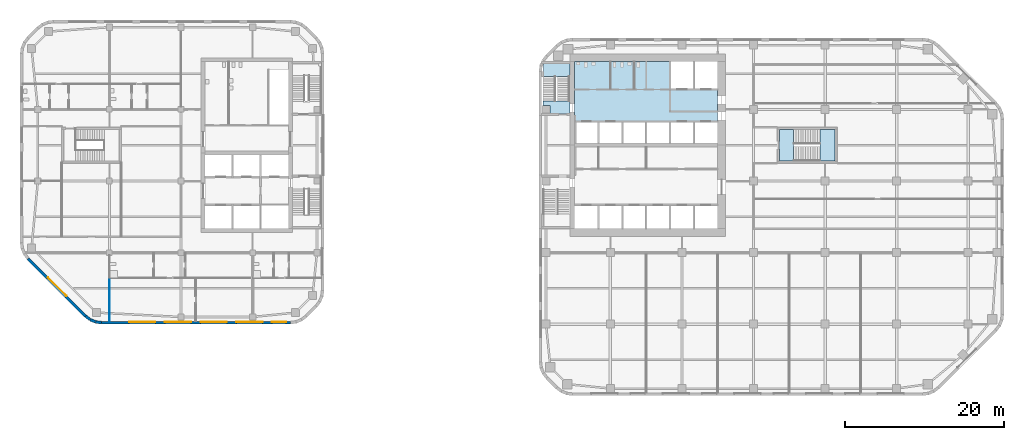
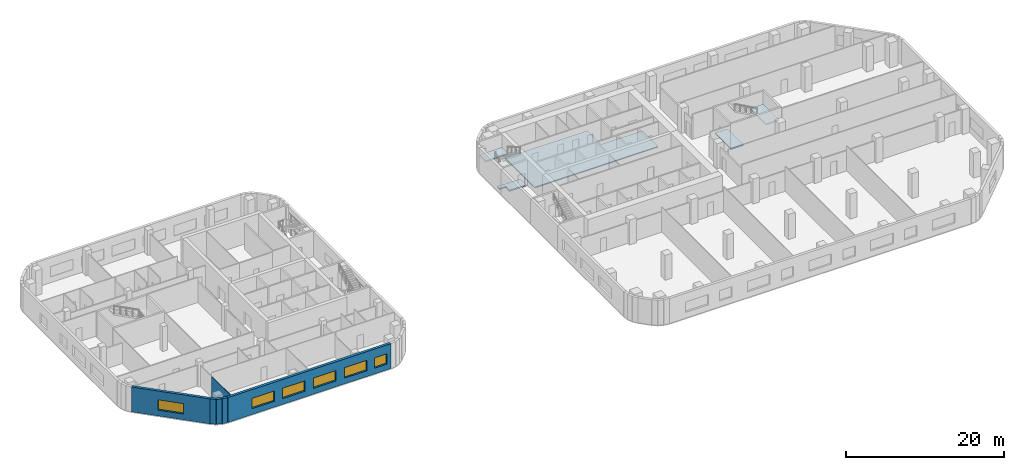
# One storey, part 4 of 15: 6 walls, 6 windows, 5 slabs, 6 openings, 2 elements without a shape of their own.
"""IFC4 building model written with IfcOpenShell, lengths in metres."""

import ifcopenshell
import ifcopenshell.guid

model = None  # the IFC model being written
_history = None  # IfcOwnerHistory: only IFC2X3 demands one
_inside = {}  # id of a spatial element -> (the spatial element, [elements in it])
_under = {}  # id of a project, library or spatial element -> (it, [spatial elements below it])
_declared = {}  # id of a project -> (the project, [libraries it declares])
_typed = {}  # id of a type object -> (the type object, [elements of that type])
_made_of = {}  # id of a material, layer set ... -> (it, [elements and type objects made of it])


def new_model(schema):
    """Start an empty IFC model of exactly this schema.

    Asked for "IFC4X3", IfcOpenShell would pick the latest addendum, in which some entities
    have other attributes; the version numbers below select the first issue.
    IFC2X3 requires an IfcOwnerHistory on every rooted entity: one is made here for all.
    """
    global model, _history
    if schema == "IFC4X3":
        model = ifcopenshell.file(schema_version=(4, 3, 0, 0))
    else:
        model = ifcopenshell.file(schema=schema)
    _inside.clear()
    _under.clear()
    _declared.clear()
    _typed.clear()
    _made_of.clear()
    _history = None
    if model.schema == "IFC2X3":
        org = make("IfcOrganization", Name="unknown")
        user = make(
            "IfcPersonAndOrganization",
            ThePerson=make("IfcPerson", FamilyName="unknown"),
            TheOrganization=org,
        )
        app = make(
            "IfcApplication",
            ApplicationDeveloper=org,
            Version="unknown",
            ApplicationFullName="unknown",
            ApplicationIdentifier="unknown",
        )
        _history = make(
            "IfcOwnerHistory",
            OwningUser=user,
            OwningApplication=app,
            ChangeAction="ADDED",
            CreationDate=0,
        )
    return model


def make(cls, **values):
    """One entity of the class cls with the attributes given. An attribute that is None is left unset."""
    return model.create_entity(
        cls, **{name: value for name, value in values.items() if value is not None}
    )


def rooted(cls, **values):
    """An entity with a GlobalId (a new one), such as an element, a storey or a relation."""
    return make(cls, GlobalId=ifcopenshell.guid.new(), OwnerHistory=_history, **values)


def si_unit(unit_type, name, prefix=None):
    """IfcSIUnit, for example si_unit("LENGTHUNIT", "METRE", prefix="MILLI")."""
    return make("IfcSIUnit", UnitType=unit_type, Prefix=prefix, Name=name)


def assignment(units):
    """IfcUnitAssignment: the units of a project."""
    return None if units is None else make("IfcUnitAssignment", Units=units)


def point(xyz):
    """IfcCartesianPoint."""
    return None if xyz is None else make("IfcCartesianPoint", Coordinates=xyz)


def direction(xyz):
    """IfcDirection."""
    return None if xyz is None else make("IfcDirection", DirectionRatios=xyz)


def frame(location, z_axis=None, x_axis=None):
    """IfcAxis2Placement3D, a coordinate frame: its origin and axes. An axis left out is left unset."""
    return make(
        "IfcAxis2Placement3D",
        Location=point(location),
        Axis=direction(z_axis),
        RefDirection=direction(x_axis),
    )


def frame_2d(location, x_axis=None):
    """IfcAxis2Placement2D, a coordinate frame in the plane: its origin and x axis."""
    return make(
        "IfcAxis2Placement2D", Location=point(location), RefDirection=direction(x_axis)
    )


def origin():
    """The frame at (0, 0, 0) with its axes left unset."""
    return frame((0.0, 0.0, 0.0))


def place(relative_to, where):
    """IfcLocalPlacement: puts the frame where relative to a parent placement (None: the world)."""
    return make(
        "IfcLocalPlacement", PlacementRelTo=relative_to, RelativePlacement=where
    )


def context(
    kind, dimensions, precision=None, world=None, true_north=None, identifier=None
):
    """IfcGeometricRepresentationContext, for example the 3D "Model" context."""
    return make(
        "IfcGeometricRepresentationContext",
        ContextIdentifier=identifier,
        ContextType=kind,
        CoordinateSpaceDimension=dimensions,
        Precision=precision,
        WorldCoordinateSystem=world,
        TrueNorth=true_north,
    )


def subcontext(parent, identifier, kind, view, scale=None):
    """IfcGeometricRepresentationSubContext, for example "Body" below "Model"."""
    return make(
        "IfcGeometricRepresentationSubContext",
        ContextIdentifier=identifier,
        ContextType=kind,
        ParentContext=parent,
        TargetScale=scale,
        TargetView=view,
    )


def project(units=None, contexts=None):
    """IfcProject with its units and contexts."""
    return rooted(
        "IfcProject",
        Name="project",
        RepresentationContexts=contexts,
        UnitsInContext=assignment(units),
    )


def spatial(cls, under=None, at=None, **own):
    """A site, building, storey or space (cls), placed at a placement, below another one or the project."""
    s = rooted(cls, ObjectPlacement=at, **own)
    if under is not None:
        _under.setdefault(under.id(), (under, []))[1].append(s)
    return s


def polyline(points):
    """IfcPolyline through the points."""
    return make("IfcPolyline", Points=[point(p) for p in points])


def profile(cls, at=None, kind="AREA", **sizes):
    """A parametric profile (cls). Its sizes go by their IFC names, for example OverallWidth=200.0."""
    return make(cls, ProfileType=kind, Position=at, **sizes)


def rectangle(**sizes):
    """IfcRectangleProfileDef."""
    return profile("IfcRectangleProfileDef", **sizes)


def outline(outer, holes=None, kind="AREA"):
    """IfcArbitraryClosedProfileDef: a profile drawn as a closed curve; with holes, ...WithVoids."""
    if holes is None:
        return make("IfcArbitraryClosedProfileDef", ProfileType=kind, OuterCurve=outer)
    return make(
        "IfcArbitraryProfileDefWithVoids",
        ProfileType=kind,
        OuterCurve=outer,
        InnerCurves=holes,
    )


def extrude(swept, where, along, depth):
    """IfcExtrudedAreaSolid: the profile swept, set in the frame where, extruded along a direction by depth."""
    return make(
        "IfcExtrudedAreaSolid",
        SweptArea=swept,
        Position=where,
        ExtrudedDirection=direction(along),
        Depth=depth,
    )


def shape(context_of_items, identifier, shape_type, items):
    """IfcShapeRepresentation: the items that make up one representation, for example the "Body"."""
    return make(
        "IfcShapeRepresentation",
        ContextOfItems=context_of_items,
        RepresentationIdentifier=identifier,
        RepresentationType=shape_type,
        Items=items,
    )


def material(Name=None, Category=None):
    """IfcMaterial."""
    return make("IfcMaterial", Name=Name, Category=Category)


def layer(
    of_material, thickness, ventilated=None, Name=None, Category=None, Priority=None
):
    """IfcMaterialLayer: one layer of a wall or slab, of a material (None: an air gap)."""
    return make(
        "IfcMaterialLayer",
        Material=of_material,
        LayerThickness=thickness,
        IsVentilated=ventilated,
        Name=Name,
        Category=Category,
        Priority=Priority,
    )


def layer_set(layers, Name=None):
    """IfcMaterialLayerSet."""
    return make("IfcMaterialLayerSet", MaterialLayers=layers, LayerSetName=Name)


def made_of(thing, what):
    """Note that an element or type object is made of a material, layer set ...; save() writes the relation."""
    if what is not None:
        _made_of.setdefault(what.id(), (what, []))[1].append(thing)
    return thing


def type_object(cls, material=None, **own):
    """A type object (cls), such as IfcWallType, which elements share."""
    return made_of(rooted(cls, **own), material)


def element(
    cls,
    number,
    at=None,
    inside=None,
    cuts=None,
    type_object=None,
    material=None,
    context=None,
    identifier="Body",
    shape_type=None,
    held_by="IfcProductDefinitionShape",
    body=None,
    shapes=None,
    **own,
):
    """One element of the class cls, such as IfcWall. Its Tag is "e" and its number.

    at: its placement. inside: the storey or other place that contains it. cuts: it is an
    opening in that element (IfcRelVoidsElement). A single representation is given by context,
    identifier, shape_type and body (its items); several are given by shapes. held_by: the class
    of the entity that holds the representations. save() writes the other relations.
    """
    e = rooted(cls, Tag="e%d" % number, ObjectPlacement=at, **own)
    if body is not None:
        shapes = [shape(context, identifier, shape_type, body)]
    if shapes is not None:
        e.Representation = make(held_by, Representations=shapes)
    if inside is not None:
        _inside.setdefault(inside.id(), (inside, []))[1].append(e)
    if cuts is not None:
        rooted(
            "IfcRelVoidsElement", RelatingBuildingElement=cuts, RelatedOpeningElement=e
        )
    if type_object is not None:
        _typed.setdefault(type_object.id(), (type_object, []))[1].append(e)
    return made_of(e, material)


def fill(opening, filler):
    """IfcRelFillsElement: the door or window that sits in an opening."""
    return rooted(
        "IfcRelFillsElement",
        RelatingOpeningElement=opening,
        RelatedBuildingElement=filler,
    )


def aggregate(whole, parts):
    """IfcRelAggregates: a whole, such as a stair, and the parts it consists of."""
    return rooted("IfcRelAggregates", RelatingObject=whole, RelatedObjects=parts)


def save(model, path):
    """Write the relations noted so far, then the file.

    IfcRelAggregates (storeys below a building ...), IfcRelContainedInSpatialStructure (elements
    in a storey), IfcRelDefinesByType, IfcRelAssociatesMaterial and IfcRelDeclares: one each for
    every whole, place, type object, material and project.
    """
    for whole, parts in _under.values():
        aggregate(whole, parts)
    for where, things in _inside.values():
        rooted(
            "IfcRelContainedInSpatialStructure",
            RelatedElements=things,
            RelatingStructure=where,
        )
    for kind, things in _typed.values():
        rooted("IfcRelDefinesByType", RelatedObjects=things, RelatingType=kind)
    for what, things in _made_of.values():
        rooted("IfcRelAssociatesMaterial", RelatedObjects=things, RelatingMaterial=what)
    for by, libraries in _declared.values():
        rooted("IfcRelDeclares", RelatingContext=by, RelatedDefinitions=libraries)
    model.write(path)


model = new_model("IFC4")

# Units and contexts
model_context = context("Model", 3, precision=1e-05, world=origin(), true_north=direction((0.0, 1.0)))
body_context = subcontext(model_context, "Body", "Model", "MODEL_VIEW")
ifc_project = project(units=[si_unit("LENGTHUNIT", "METRE"), si_unit("AREAUNIT", "SQUARE_METRE"), si_unit("VOLUMEUNIT", "CUBIC_METRE"), si_unit("PLANEANGLEUNIT", "RADIAN"), si_unit("MASSUNIT", "GRAM", prefix="KILO")], contexts=[model_context])

# Site, building, storey
site_placement = place(None, origin())
site = spatial("IfcSite", under=ifc_project, at=site_placement, CompositionType="ELEMENT")
building_placement = place(site_placement, origin())
building = spatial("IfcBuilding", under=site, at=building_placement, Name="Cinnabar Reach Civic Tower", CompositionType="ELEMENT")
storey_placement = place(building_placement, frame((0.0, 0.0, 63.0)))
storey = spatial("IfcBuildingStorey", under=building, at=storey_placement, Name="L14", CompositionType="ELEMENT", Elevation=63.0)

# Stair, slabs
ifc_material_1 = material(Name="Concrete C40/50", Category="concrete")
stair_type = type_object("IfcStairType", Name="T1 Exit stair, half-turn", PredefinedType="HALF_TURN_STAIR", material=ifc_material_1)
stair_1_placement = place(storey_placement, origin())
stair_1 = element("IfcStair", 1, at=stair_1_placement, inside=storey, type_object=stair_type, Name="Stair T1-S2", PredefinedType="HALF_TURN_STAIR")
ifc_layer_1 = layer(ifc_material_1, 0.2)
ifc_layer_set_1 = layer_set([ifc_layer_1], Name="T1 Stair landing 200, Concrete C40/50")
slab_type_1 = type_object("IfcSlabType", Name="T1 Stair landing 200, Concrete C40/50", PredefinedType="LANDING", material=ifc_layer_set_1)
slab_1_placement = place(storey_placement, frame((0.0, 0.0, -0.2)))
slab_1 = element("IfcSlab", 2, at=slab_1_placement, type_object=slab_type_1, Name="T1-S2 landing 1", PredefinedType="LANDING", context=body_context, shape_type="SweptSolid", body=[
    extrude(outline(polyline([(0.5, 37.05), (3.9, 37.05), (3.9, 35.5), (1.4, 35.5), (1.4, 36.5), (0.5, 36.5), (0.5, 37.05)])), origin(), (0.0, 0.0, 1.0), 0.2),
])
slab_2_placement = place(storey_placement, frame((0.0, 0.0, 1.8)))
slab_2 = element("IfcSlab", 3, at=slab_2_placement, type_object=slab_type_1, Name="T1-S2 landing 2", PredefinedType="LANDING", context=body_context, shape_type="SweptSolid", body=[
    extrude(outline(polyline([(0.6, 40.13), (0.6, 41.75), (3.9, 41.75), (3.9, 40.13), (0.6, 40.13)])), origin(), (0.0, 0.0, 1.0), 0.2),
])
aggregate(stair_1, [slab_1, slab_2])

stair_2_placement = place(storey_placement, origin())
stair_2 = element("IfcStair", 4, at=stair_2_placement, inside=storey, type_object=stair_type, Name="Stair T1-S3", PredefinedType="HALF_TURN_STAIR")
slab_3_placement = place(storey_placement, frame((0.0, 0.0, -0.2)))
slab_3 = element("IfcSlab", 5, at=slab_3_placement, type_object=slab_type_1, Name="T1-S3 landing 1", PredefinedType="LANDING", context=body_context, shape_type="SweptSolid", body=[
    extrude(outline(polyline([(30.25, 29.5), (32.05, 29.5), (32.05, 33.5), (30.25, 33.5), (30.25, 29.5)])), origin(), (0.0, 0.0, 1.0), 0.2),
])
slab_4_placement = place(storey_placement, frame((0.0, 0.0, 1.8)))
slab_4 = element("IfcSlab", 6, at=slab_4_placement, type_object=slab_type_1, Name="T1-S3 landing 2", PredefinedType="LANDING", context=body_context, shape_type="SweptSolid", body=[
    extrude(outline(polyline([(35.35, 29.5), (37.25, 29.5), (37.25, 33.5), (35.35, 33.5), (35.35, 29.5)])), origin(), (0.0, 0.0, 1.0), 0.2),
])
aggregate(stair_2, [slab_3, slab_4])

# Slab
ifc_layer_2 = layer(ifc_material_1, 0.15)
ifc_layer_set_2 = layer_set([ifc_layer_2], Name="T1 core floor slab 150")
slab_type_2 = type_object("IfcSlabType", Name="T1 core floor slab 150", PredefinedType="FLOOR", material=ifc_layer_set_2)
slab_5_placement = place(storey_placement, frame((0.0, 0.0, -0.15)))
element("IfcSlab", 7, at=slab_5_placement, inside=storey, type_object=slab_type_2, Name="Core floor slab L14", PredefinedType="FLOOR", context=body_context, shape_type="SweptSolid", body=[
    extrude(outline(polyline([(22.5, 34.5), (19.5, 34.5), (16.5, 34.5), (13.5, 34.5), (10.5, 34.5), (7.5, 34.5), (4.5, 34.5), (4.5, 42.0), (16.5, 42.0), (16.5, 38.5), (19.5, 38.5), (22.5, 38.5), (22.5, 34.5)])), origin(), (0.0, 0.0, 1.0), 0.15),
])

# Walls
ifc_material_2 = material(Name="Facing brick with insulated backing", Category="masonry")
ifc_layer_3 = layer(ifc_material_2, 0.36)
ifc_layer_set_3 = layer_set([ifc_layer_3], Name="Brick corner wall")
wall_type_1 = type_object("IfcWallType", Name="Brick corner wall", PredefinedType="STANDARD", material=ifc_layer_set_3)
wall_1_placement = place(storey_placement, frame((-56.9913, 10.0002, 0.0), z_axis=(0.0, 0.0, 1.0), x_axis=(0.793321924995, -0.608802368033, 0.0)))
element("IfcWall", 8, at=wall_1_placement, inside=storey, type_object=wall_type_1, Name="Brick corner wall", PredefinedType="STANDARD", context=body_context, shape_type="SweptSolid", body=[
    extrude(rectangle(XDim=0.7132, YDim=0.36, at=frame_2d((0.3566, 0.0))), origin(), (0.0, 0.0, 1.0), 3.85),
])
for number, where, z_axis, x_axis, name in (
    (9, (-56.4061, 9.5548, 0.0), (0.0, 0.0, 1.0), (0.923871547278, -0.382702709855, 0.0), "Brick corner wall"),
    (10, (-55.7256, 9.2761, 0.0), (0.0, 0.0, 1.0), (0.99144092581, -0.13055608231, 0.0), "Brick corner wall"),
):
    element("IfcWall", number, at=place(storey_placement, frame(where, z_axis=z_axis, x_axis=x_axis)), inside=storey, type_object=wall_type_1, Name=name, PredefinedType="STANDARD", context=body_context, shape_type="SweptSolid", body=[
        extrude(rectangle(XDim=0.7131, YDim=0.36, at=frame_2d((0.3565, 0.0))), origin(), (0.0, 0.0, 1.0), 3.85),
    ])

# Wall, openings, windows
ifc_layer_4 = layer(ifc_material_2, 0.36)
ifc_layer_set_4 = layer_set([ifc_layer_4], Name="Brick pier and spandrel wall")
wall_type_2 = type_object("IfcWallType", Name="Brick pier and spandrel wall", PredefinedType="STANDARD", material=ifc_layer_set_4)
wall_2_placement = place(storey_placement, frame((-55.0074, 9.18, 0.0), z_axis=(0.0, 0.0, 1.0), x_axis=(1.0, 0.0, 0.0)))
wall_2 = element("IfcWall", 11, at=wall_2_placement, inside=storey, type_object=wall_type_2, Name="Brick facade wall", PredefinedType="STANDARD", context=body_context, shape_type="SweptSolid", body=[
    extrude(rectangle(XDim=23.7648, YDim=0.36, at=frame_2d((11.8824, 0.0))), origin(), (0.0, 0.0, 1.0), 3.85),
])
opening_1_placement = place(wall_2_placement, frame((3.4824, 0.0, 0.9)))
opening_1 = element("IfcOpeningElement", 12, at=opening_1_placement, cuts=wall_2, Name="Opening W2533", PredefinedType="OPENING", context=body_context, shape_type="SweptSolid", body=[
    extrude(rectangle(XDim=3.3, YDim=1.6, at=frame_2d((1.65, 0.8))), frame((0.0, 0.19, 0.0), z_axis=(0.0, -1.0, 0.0), x_axis=(1.0, 0.0, 0.0)), (0.0, 0.0, 1.0), 0.38),
])
opening_2_placement = place(wall_2_placement, frame((7.9824, 0.0, 0.9)))
opening_2 = element("IfcOpeningElement", 13, at=opening_2_placement, cuts=wall_2, Name="Opening W2534", PredefinedType="OPENING", context=body_context, shape_type="SweptSolid", body=[
    extrude(rectangle(XDim=3.3, YDim=1.6, at=frame_2d((1.65, 0.8))), frame((0.0, 0.19, 0.0), z_axis=(0.0, -1.0, 0.0), x_axis=(1.0, 0.0, 0.0)), (0.0, 0.0, 1.0), 0.38),
])
opening_3_placement = place(wall_2_placement, frame((12.4824, 0.0, 0.9)))
opening_3 = element("IfcOpeningElement", 14, at=opening_3_placement, cuts=wall_2, Name="Opening W2535", PredefinedType="OPENING", context=body_context, shape_type="SweptSolid", body=[
    extrude(rectangle(XDim=3.3, YDim=1.6, at=frame_2d((1.65, 0.8))), frame((0.0, 0.19, 0.0), z_axis=(0.0, -1.0, 0.0), x_axis=(1.0, 0.0, 0.0)), (0.0, 0.0, 1.0), 0.38),
])
opening_4_placement = place(wall_2_placement, frame((16.9824, 0.0, 0.9)))
opening_4 = element("IfcOpeningElement", 15, at=opening_4_placement, cuts=wall_2, Name="Opening W2536", PredefinedType="OPENING", context=body_context, shape_type="SweptSolid", body=[
    extrude(rectangle(XDim=3.3, YDim=1.6, at=frame_2d((1.65, 0.8))), frame((0.0, 0.19, 0.0), z_axis=(0.0, -1.0, 0.0), x_axis=(1.0, 0.0, 0.0)), (0.0, 0.0, 1.0), 0.38),
])
opening_5_placement = place(wall_2_placement, frame((21.4235, 0.0, 0.9)))
opening_5 = element("IfcOpeningElement", 16, at=opening_5_placement, cuts=wall_2, Name="Opening W2537", PredefinedType="OPENING", context=body_context, shape_type="SweptSolid", body=[
    extrude(rectangle(XDim=1.8, YDim=1.6, at=frame_2d((0.9, 0.8))), frame((0.0, 0.19, 0.0), z_axis=(0.0, -1.0, 0.0), x_axis=(1.0, 0.0, 0.0)), (0.0, 0.0, 1.0), 0.38),
])
ifc_material_3 = material(Name="Clear double glazing in aluminium frame", Category="aluminium")
window_type_1 = type_object("IfcWindowType", Name="Deep-set window A", PartitioningType="SINGLE_PANEL", PredefinedType="WINDOW", material=ifc_material_3)
window_1_placement = place(opening_1_placement, origin())
window_1 = element("IfcWindow", 17, at=window_1_placement, inside=storey, type_object=window_type_1, Name="Window south face", OverallHeight=1.6, OverallWidth=3.3, PartitioningType="SINGLE_PANEL", PredefinedType="WINDOW", context=body_context, shape_type="SweptSolid", body=[
    extrude(rectangle(XDim=3.3, YDim=1.6, at=frame_2d((1.65, 0.8))), frame((0.0, 0.13, 0.0), z_axis=(0.0, -1.0, 0.0), x_axis=(1.0, 0.0, 0.0)), (0.0, 0.0, 1.0), 0.06),
])
fill(opening_1, window_1)
window_2_placement = place(opening_2_placement, origin())
window_2 = element("IfcWindow", 18, at=window_2_placement, inside=storey, type_object=window_type_1, Name="Window south face", OverallHeight=1.6, OverallWidth=3.3, PartitioningType="SINGLE_PANEL", PredefinedType="WINDOW", context=body_context, shape_type="SweptSolid", body=[
    extrude(rectangle(XDim=3.3, YDim=1.6, at=frame_2d((1.65, 0.8))), frame((0.0, 0.13, 0.0), z_axis=(0.0, -1.0, 0.0), x_axis=(1.0, 0.0, 0.0)), (0.0, 0.0, 1.0), 0.06),
])
fill(opening_2, window_2)
window_3_placement = place(opening_3_placement, origin())
window_3 = element("IfcWindow", 19, at=window_3_placement, inside=storey, type_object=window_type_1, Name="Window south face", OverallHeight=1.6, OverallWidth=3.3, PartitioningType="SINGLE_PANEL", PredefinedType="WINDOW", context=body_context, shape_type="SweptSolid", body=[
    extrude(rectangle(XDim=3.3, YDim=1.6, at=frame_2d((1.65, 0.8))), frame((0.0, 0.13, 0.0), z_axis=(0.0, -1.0, 0.0), x_axis=(1.0, 0.0, 0.0)), (0.0, 0.0, 1.0), 0.06),
])
fill(opening_3, window_3)
window_4_placement = place(opening_4_placement, origin())
window_4 = element("IfcWindow", 20, at=window_4_placement, inside=storey, type_object=window_type_1, Name="Window south face", OverallHeight=1.6, OverallWidth=3.3, PartitioningType="SINGLE_PANEL", PredefinedType="WINDOW", context=body_context, shape_type="SweptSolid", body=[
    extrude(rectangle(XDim=3.3, YDim=1.6, at=frame_2d((1.65, 0.8))), frame((0.0, 0.13, 0.0), z_axis=(0.0, -1.0, 0.0), x_axis=(1.0, 0.0, 0.0)), (0.0, 0.0, 1.0), 0.06),
])
fill(opening_4, window_4)
window_type_2 = type_object("IfcWindowType", Name="Deep-set window D", PartitioningType="SINGLE_PANEL", PredefinedType="WINDOW", material=ifc_material_3)
window_5_placement = place(opening_5_placement, origin())
window_5 = element("IfcWindow", 21, at=window_5_placement, inside=storey, type_object=window_type_2, Name="Window south face", OverallHeight=1.6, OverallWidth=1.8, PartitioningType="SINGLE_PANEL", PredefinedType="WINDOW", context=body_context, shape_type="SweptSolid", body=[
    extrude(rectangle(XDim=1.8, YDim=1.6, at=frame_2d((0.9, 0.8))), frame((0.0, 0.13, 0.0), z_axis=(0.0, -1.0, 0.0), x_axis=(1.0, 0.0, 0.0)), (0.0, 0.0, 1.0), 0.06),
])
fill(opening_5, window_5)

# Wall, opening, window
wall_3_placement = place(storey_placement, frame((-64.244, 17.2486, 0.0), z_axis=(0.0, 0.0, 1.0), x_axis=(0.707106781187, -0.707106781187, 0.0)))
wall_3 = element("IfcWall", 22, at=wall_3_placement, inside=storey, type_object=wall_type_2, Name="Brick facade wall", PredefinedType="STANDARD", context=body_context, shape_type="SweptSolid", body=[
    extrude(rectangle(XDim=10.2426, YDim=0.36, at=frame_2d((5.1213, 0.0))), origin(), (0.0, 0.0, 1.0), 3.85),
])
opening_6_placement = place(wall_3_placement, frame((3.4713, 0.0, 0.9)))
opening_6 = element("IfcOpeningElement", 23, at=opening_6_placement, cuts=wall_3, Name="Opening W2550", PredefinedType="OPENING", context=body_context, shape_type="SweptSolid", body=[
    extrude(rectangle(XDim=3.3, YDim=1.6, at=frame_2d((1.65, 0.8))), frame((0.0, 0.19, 0.0), z_axis=(0.0, -1.0, 0.0), x_axis=(1.0, 0.0, 0.0)), (0.0, 0.0, 1.0), 0.38),
])
window_6_placement = place(opening_6_placement, origin())
window_6 = element("IfcWindow", 24, at=window_6_placement, inside=storey, type_object=window_type_1, Name="Window southwest face", OverallHeight=1.6, OverallWidth=3.3, PartitioningType="SINGLE_PANEL", PredefinedType="WINDOW", context=body_context, shape_type="SweptSolid", body=[
    extrude(rectangle(XDim=3.3, YDim=1.6, at=frame_2d((1.65, 0.8))), frame((0.0, 0.13, 0.0), z_axis=(0.0, -1.0, 0.0), x_axis=(1.0, 0.0, 0.0)), (0.0, 0.0, 1.0), 0.06),
])
fill(opening_6, window_6)

# Wall
ifc_material_4 = material(Name="Gypsum board on steel studs", Category="steel")
ifc_layer_5 = layer(ifc_material_4, 0.1)
ifc_layer_set_5 = layer_set([ifc_layer_5], Name="Partition wall 100 T2")
wall_type_3 = type_object("IfcWallType", Name="Partition wall 100 T2", PredefinedType="PARTITIONING", material=ifc_layer_set_5)
wall_4_placement = place(storey_placement, frame((-54.0, 9.36, 0.0), z_axis=(0.0, 0.0, 1.0), x_axis=(0.0, 1.0, 0.0)))
element("IfcWall", 25, at=wall_4_placement, inside=storey, type_object=wall_type_3, Name="Partition wall 24", PredefinedType="PARTITIONING", context=body_context, shape_type="SweptSolid", body=[
    extrude(rectangle(XDim=5.39, YDim=0.1, at=frame_2d((2.695, 0.0))), origin(), (0.0, 0.0, 1.0), 3.256),
])

save(model, "model.ifc")
